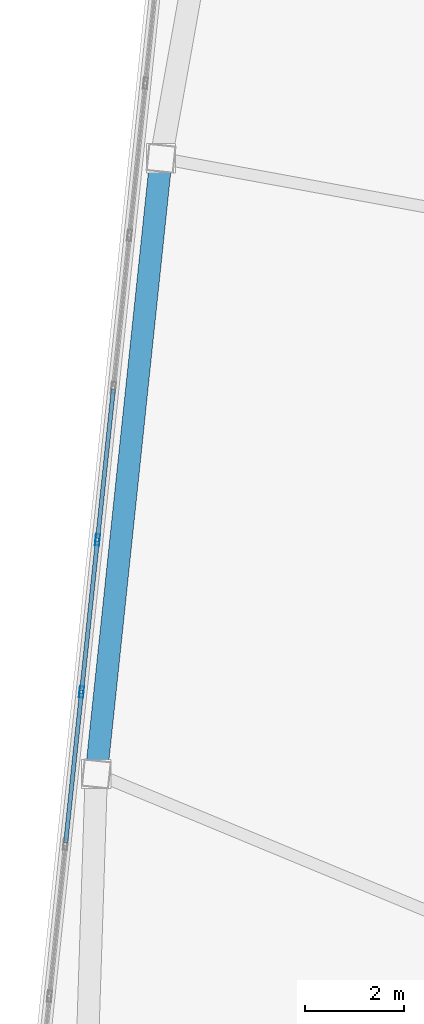
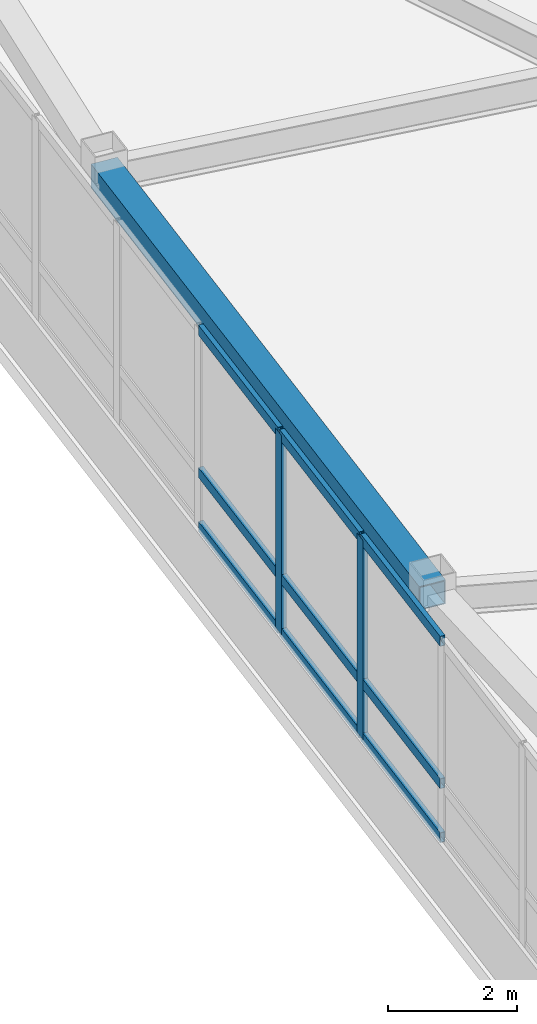
# One storey, part 6 of 21: 11 members, 1 beam, 1 element without a shape of its own.
"""IFC4 building model written with IfcOpenShell, lengths in metres."""

from ifc_helpers import new_model, si_unit, direction, frame, origin, origin_2d, place, context, subcontext, project, spatial, hollow_rectangle, extrude, material, layer, layer_set, material_profile, profile_set, type_object, element, aggregate, save


model = new_model("IFC4")

# Units and contexts
model_context = context("Model", 3, precision=1e-05, world=origin(), true_north=direction((0.0, 1.0)))
body_context = subcontext(model_context, "Body", "Model", "MODEL_VIEW")
ifc_project = project(units=[si_unit("LENGTHUNIT", "METRE"), si_unit("AREAUNIT", "SQUARE_METRE"), si_unit("VOLUMEUNIT", "CUBIC_METRE"), si_unit("PLANEANGLEUNIT", "RADIAN"), si_unit("MASSUNIT", "GRAM", prefix="KILO")], contexts=[model_context])

# Site, building, storey
site_placement = place(None, origin())
site = spatial("IfcSite", under=ifc_project, at=site_placement, CompositionType="ELEMENT")
building_placement = place(site_placement, origin())
building = spatial("IfcBuilding", under=site, at=building_placement, Name="Voryun Gate Residences", CompositionType="ELEMENT")
storey_placement = place(building_placement, frame((0.0, 0.0, 337.199951171875)))
storey = spatial("IfcBuildingStorey", under=building, at=storey_placement, Name="L82", CompositionType="ELEMENT", Elevation=337.199951171875)

# Beam
ifc_material_1 = material(Name="Steel SM355", Category="steel")
ifc_material_profile_1 = material_profile(ifc_material_1, hollow_rectangle(XDim=0.449951171875, YDim=0.449951171875, WallThickness=0.01806640625, at=origin_2d()), Name="BOX-450x450x18")
ifc_profile_set_1 = profile_set([ifc_material_profile_1], Name="Steel SM355")
beam_type = type_object("IfcBeamType", Name="BM_CROWN_RING", PredefinedType="BEAM", material=ifc_profile_set_1)
beam_placement = place(storey_placement, frame((-27.158203125, 8.861572265625, 4.735107421875), z_axis=(-0.104539303236, -0.994520755982, 0.0), x_axis=(0.994520755982, -0.104539303236, 0.0)))
element("IfcBeam", 1, at=beam_placement, inside=storey, type_object=beam_type, Name="BM-L82-SPAND-18", PredefinedType="BEAM", context=body_context, shape_type="SweptSolid", body=[
    extrude(hollow_rectangle(XDim=0.449951171875, YDim=0.449951171875, WallThickness=0.01806640625, at=origin_2d()), origin(), (0.0, 0.0, 1.0), 12.491943359375),
])

# Curtain wall, members
ifc_material_2 = material(Name="Anodised aluminium", Category="aluminium")
ifc_layer = layer(ifc_material_2, 0.22998046875, Name="CW_SYS_LANTERN_DARK_GLASS")
ifc_layer_set = layer_set([ifc_layer], Name="Anodised aluminium")
curtain_wall_type = type_object("IfcCurtainWallType", Name="CW_SYS_LANTERN_DARK_GLASS", PredefinedType="NOTDEFINED", material=ifc_layer_set)
curtain_wall_placement = place(storey_placement, origin())
curtain_wall = element("IfcCurtainWall", 2, at=curtain_wall_placement, inside=storey, type_object=curtain_wall_type, Name="Curtain wall CW6-L82-06", PredefinedType="NOTDEFINED")
ifc_material_3 = material(Name="Anodised aluminium", Category="aluminium")
ifc_material_profile_2 = material_profile(ifc_material_3, hollow_rectangle(XDim=0.0849609375, YDim=0.22998046875, WallThickness=0.006103515625, at=origin_2d()), Name="ALU-MULL-230x85x6")
ifc_profile_set_2 = profile_set([ifc_material_profile_2], Name="Anodised aluminium")
member_type_1 = type_object("IfcMemberType", Name="CW_MULL_LANT", PredefinedType="MULLION", material=ifc_profile_set_2)
member_1_placement = place(storey_placement, frame((-28.7626953125, -1.907470703125, 1.18994140625), z_axis=(0.0, 0.0, 1.0), x_axis=(-0.994521943608, 0.104528004296, 0.0)))
member_1 = element("IfcMember", 3, at=member_1_placement, type_object=member_type_1, Name="CW6 mullion 4", PredefinedType="MULLION", context=body_context, shape_type="SweptSolid", body=[
    extrude(hollow_rectangle(XDim=0.0849609375, YDim=0.22998046875, WallThickness=0.006103515625, at=origin_2d()), origin(), (0.0, 0.0, 1.0), 3.77001953125),
])
member_2_placement = place(storey_placement, frame((-28.43994140625, 1.163330078125, 1.18994140625), z_axis=(0.0, 0.0, 1.0), x_axis=(-0.994521943608, 0.104528004296, 0.0)))
member_2 = element("IfcMember", 4, at=member_2_placement, type_object=member_type_1, Name="CW6 mullion 5", PredefinedType="MULLION", context=body_context, shape_type="SweptSolid", body=[
    extrude(hollow_rectangle(XDim=0.0849609375, YDim=0.22998046875, WallThickness=0.006103515625, at=origin_2d()), origin(), (0.0, 0.0, 1.0), 3.77001953125),
])
ifc_material_4 = material(Name="Anodised aluminium", Category="aluminium")
ifc_material_profile_3 = material_profile(ifc_material_4, hollow_rectangle(XDim=0.0849609375, YDim=0.18994140625, WallThickness=0.006103515625, at=origin_2d()), Name="ALU-TRAN-190x85x6")
ifc_profile_set_3 = profile_set([ifc_material_profile_3], Name="Anodised aluminium")
member_type_2 = type_object("IfcMemberType", Name="CW_TRAN_LANT", PredefinedType="USERDEFINED", material=ifc_profile_set_3)
member_3_placement = place(storey_placement, frame((-29.082275390625, -4.948486328125, 1.219970703125), z_axis=(0.104500100479, 0.994524876009, 0.0), x_axis=(-0.994524876009, 0.104500100479, 0.0)))
member_3 = element("IfcMember", 5, at=member_3_placement, type_object=member_type_2, Name="CW6 transom 3.1", ObjectType="TRANSOM", PredefinedType="USERDEFINED", context=body_context, shape_type="SweptSolid", body=[
    extrude(hollow_rectangle(XDim=0.0849609375, YDim=0.18994140625, WallThickness=0.006103515625, at=origin_2d()), origin(), (0.0, 0.0, 1.0), 3.02783203125),
])
member_4_placement = place(storey_placement, frame((-29.082275390625, -4.948486328125, 2.239990234375), z_axis=(0.104500100479, 0.994524876009, 0.0), x_axis=(-0.994524876009, 0.104500100479, 0.0)))
member_4 = element("IfcMember", 6, at=member_4_placement, type_object=member_type_2, Name="CW6 transom 3.2", ObjectType="TRANSOM", PredefinedType="USERDEFINED", context=body_context, shape_type="SweptSolid", body=[
    extrude(hollow_rectangle(XDim=0.0849609375, YDim=0.18994140625, WallThickness=0.006103515625, at=origin_2d()), origin(), (0.0, 0.0, 1.0), 3.02783203125),
])
member_5_placement = place(storey_placement, frame((-29.082275390625, -4.948486328125, 4.929931640625), z_axis=(0.104500100479, 0.994524876009, 0.0), x_axis=(-0.994524876009, 0.104500100479, 0.0)))
member_5 = element("IfcMember", 7, at=member_5_placement, type_object=member_type_2, Name="CW6 transom 3.3", ObjectType="TRANSOM", PredefinedType="USERDEFINED", context=body_context, shape_type="SweptSolid", body=[
    extrude(hollow_rectangle(XDim=0.0849609375, YDim=0.18994140625, WallThickness=0.006103515625, at=origin_2d()), origin(), (0.0, 0.0, 1.0), 3.02783203125),
])
member_6_placement = place(storey_placement, frame((-28.759521484375, -1.877685546875, 1.219970703125), z_axis=(0.104500100479, 0.994524876009, 0.0), x_axis=(-0.994524876009, 0.104500100479, 0.0)))
member_6 = element("IfcMember", 8, at=member_6_placement, type_object=member_type_2, Name="CW6 transom 4.1", ObjectType="TRANSOM", PredefinedType="USERDEFINED", context=body_context, shape_type="SweptSolid", body=[
    extrude(hollow_rectangle(XDim=0.0849609375, YDim=0.18994140625, WallThickness=0.006103515625, at=origin_2d()), origin(), (0.0, 0.0, 1.0), 3.02783203125),
])
member_7_placement = place(storey_placement, frame((-28.759521484375, -1.877685546875, 2.239990234375), z_axis=(0.104500100479, 0.994524876009, 0.0), x_axis=(-0.994524876009, 0.104500100479, 0.0)))
member_7 = element("IfcMember", 9, at=member_7_placement, type_object=member_type_2, Name="CW6 transom 4.2", ObjectType="TRANSOM", PredefinedType="USERDEFINED", context=body_context, shape_type="SweptSolid", body=[
    extrude(hollow_rectangle(XDim=0.0849609375, YDim=0.18994140625, WallThickness=0.006103515625, at=origin_2d()), origin(), (0.0, 0.0, 1.0), 3.02783203125),
])
member_8_placement = place(storey_placement, frame((-28.759521484375, -1.877685546875, 4.929931640625), z_axis=(0.104500100479, 0.994524876009, 0.0), x_axis=(-0.994524876009, 0.104500100479, 0.0)))
member_8 = element("IfcMember", 10, at=member_8_placement, type_object=member_type_2, Name="CW6 transom 4.3", ObjectType="TRANSOM", PredefinedType="USERDEFINED", context=body_context, shape_type="SweptSolid", body=[
    extrude(hollow_rectangle(XDim=0.0849609375, YDim=0.18994140625, WallThickness=0.006103515625, at=origin_2d()), origin(), (0.0, 0.0, 1.0), 3.02783203125),
])
member_9_placement = place(storey_placement, frame((-28.436767578125, 1.193359375, 1.219970703125), z_axis=(0.104500100479, 0.994524876009, 0.0), x_axis=(-0.994524876009, 0.104500100479, 0.0)))
member_9 = element("IfcMember", 11, at=member_9_placement, type_object=member_type_2, Name="CW6 transom 5.1", ObjectType="TRANSOM", PredefinedType="USERDEFINED", context=body_context, shape_type="SweptSolid", body=[
    extrude(hollow_rectangle(XDim=0.0849609375, YDim=0.18994140625, WallThickness=0.006103515625, at=origin_2d()), origin(), (0.0, 0.0, 1.0), 3.02783203125),
])
member_10_placement = place(storey_placement, frame((-28.436767578125, 1.193359375, 2.239990234375), z_axis=(0.104500100479, 0.994524876009, 0.0), x_axis=(-0.994524876009, 0.104500100479, 0.0)))
member_10 = element("IfcMember", 12, at=member_10_placement, type_object=member_type_2, Name="CW6 transom 5.2", ObjectType="TRANSOM", PredefinedType="USERDEFINED", context=body_context, shape_type="SweptSolid", body=[
    extrude(hollow_rectangle(XDim=0.0849609375, YDim=0.18994140625, WallThickness=0.006103515625, at=origin_2d()), origin(), (0.0, 0.0, 1.0), 3.02783203125),
])
member_11_placement = place(storey_placement, frame((-28.436767578125, 1.193359375, 4.929931640625), z_axis=(0.104500100479, 0.994524876009, 0.0), x_axis=(-0.994524876009, 0.104500100479, 0.0)))
member_11 = element("IfcMember", 13, at=member_11_placement, type_object=member_type_2, Name="CW6 transom 5.3", ObjectType="TRANSOM", PredefinedType="USERDEFINED", context=body_context, shape_type="SweptSolid", body=[
    extrude(hollow_rectangle(XDim=0.0849609375, YDim=0.18994140625, WallThickness=0.006103515625, at=origin_2d()), origin(), (0.0, 0.0, 1.0), 3.02783203125),
])
aggregate(curtain_wall, [member_1, member_2, member_3, member_4, member_5, member_6, member_7, member_8, member_9, member_10, member_11])

save(model, "model.ifc")
